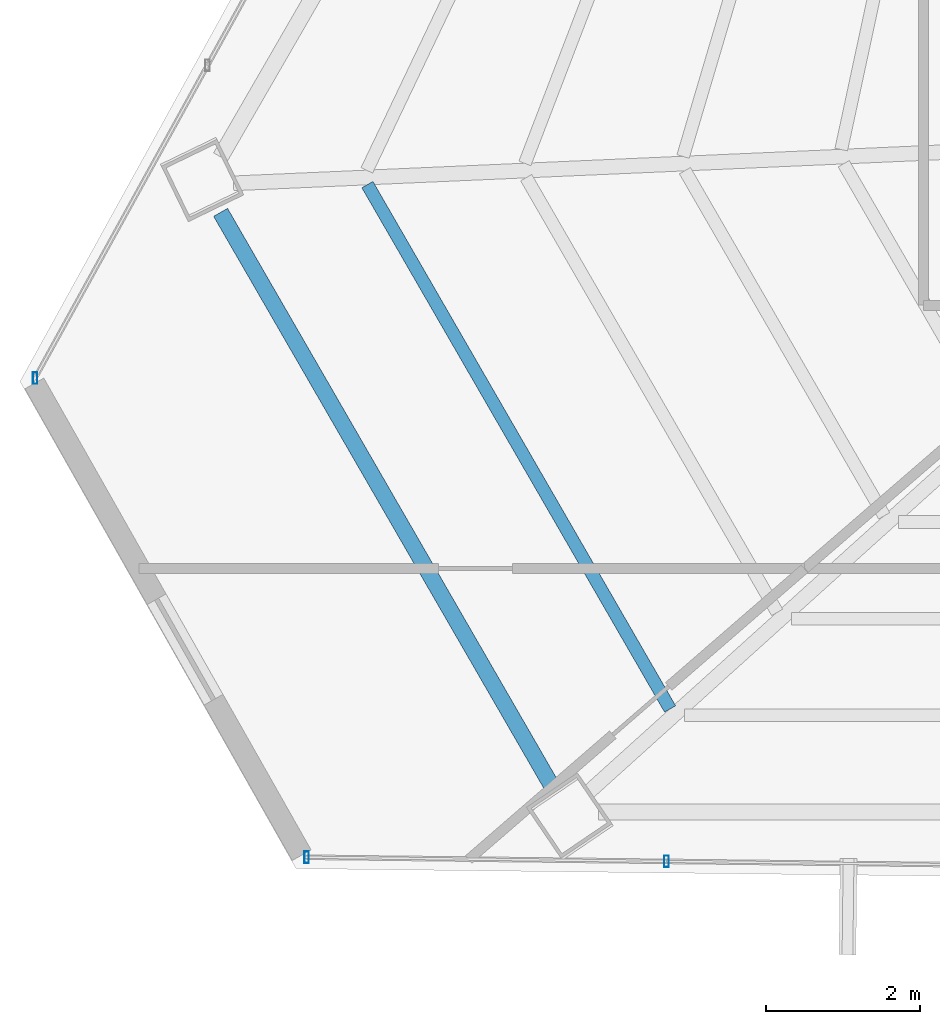
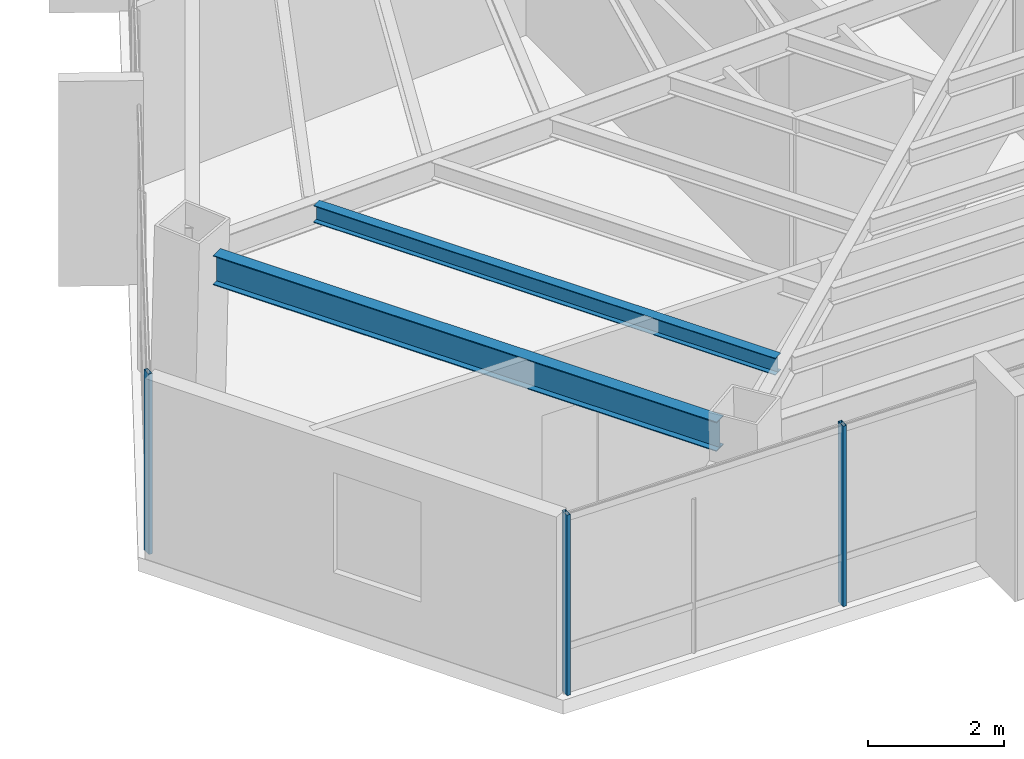
# One storey, part 3 of 40: 3 members, 2 beams, 2 elements without a shape of their own.
"""IFC4 building model written with IfcOpenShell, lengths in metres."""

from ifc_helpers import new_model, si_unit, direction, frame, origin, origin_2d, place, context, subcontext, project, spatial, hollow_rectangle, i_section, extrude, source, transform, mapped, material, material_profile, profile_set, type_object, type_shapes, element, aggregate, save


model = new_model("IFC4")

# Units and contexts
model_context = context("Model", 3, precision=1e-05, world=origin(), true_north=direction((0.0, 1.0)))
body_context = subcontext(model_context, "Body", "Model", "MODEL_VIEW")
ifc_project = project(units=[si_unit("LENGTHUNIT", "METRE"), si_unit("AREAUNIT", "SQUARE_METRE"), si_unit("VOLUMEUNIT", "CUBIC_METRE"), si_unit("PLANEANGLEUNIT", "RADIAN"), si_unit("MASSUNIT", "GRAM", prefix="KILO")], contexts=[model_context])

# Site, building, storey
site_placement = place(None, origin())
site = spatial("IfcSite", under=ifc_project, at=site_placement, CompositionType="ELEMENT")
building_placement = place(site_placement, origin())
building = spatial("IfcBuilding", under=site, at=building_placement, Name="Caelisora Broadcast Tower", CompositionType="ELEMENT")
storey_placement = place(building_placement, frame((0.0, 0.0, 216.89990234375)))
storey = spatial("IfcBuildingStorey", under=building, at=storey_placement, Name="L57", CompositionType="ELEMENT", Elevation=216.89990234375)

# Beams
ifc_material_1 = material(Name="Steel Grade 350 (AS/NZS 3679.1)", Category="steel")
ifc_material_profile_1 = material_profile(ifc_material_1, i_section(OverallWidth=0.208984375, OverallDepth=0.532958984375, WebThickness=0.01025390625, FlangeThickness=0.015625, at=origin_2d()), Name="Steel Grade 350 (AS/NZS 3679.1)")
ifc_profile_set_1 = profile_set([ifc_material_profile_1], Name="Steel Grade 350 (AS/NZS 3679.1)")
beam_type_1 = type_object("IfcBeamType", Name="PG05", PredefinedType="BEAM", material=ifc_profile_set_1)
shared_shape_1 = source(origin(), body_context, "Body", "SweptSolid", [
    extrude(i_section(OverallWidth=0.208984375, OverallDepth=0.532958984375, WebThickness=0.01025390625, FlangeThickness=0.015625, at=origin_2d()), origin(), (0.0, 0.0, 1.0), 8.572509765625),
])
type_shapes(beam_type_1, [shared_shape_1])
beam_1_placement = place(storey_placement, frame((16.274658203125, 16.40625, 2.983642578125), z_axis=(0.500007596729, -0.866021017767, 0.0), x_axis=(0.866021017767, 0.500007596729, 0.0)))
element("IfcBeam", 1, at=beam_1_placement, inside=storey, type_object=beam_type_1, Name="L57 beam PG05", PredefinedType="BEAM", context=body_context, shape_type="MappedRepresentation", body=[
    mapped(shared_shape_1, transform((0.0, 0.0, 0.0), scale=1.0)),
])
ifc_material_profile_2 = material_profile(ifc_material_1, i_section(OverallWidth=0.166015625, OverallDepth=0.30712890625, WebThickness=0.006591796875, FlangeThickness=0.01171875, at=origin_2d()), Name="Steel Grade 350 (AS/NZS 3679.1)")
ifc_profile_set_2 = profile_set([ifc_material_profile_2], Name="Steel Grade 350 (AS/NZS 3679.1)")
beam_type_2 = type_object("IfcBeamType", Name="SB03", PredefinedType="JOIST", material=ifc_profile_set_2)
shared_shape_2 = source(origin(), body_context, "Body", "SweptSolid", [
    extrude(i_section(OverallWidth=0.166015625, OverallDepth=0.30712890625, WebThickness=0.006591796875, FlangeThickness=0.01171875, at=origin_2d()), origin(), (0.0, 0.0, 1.0), 7.86181640625),
])
type_shapes(beam_type_2, [shared_shape_2])
beam_2_placement = place(storey_placement, frame((18.180908203125, 16.766357421875, 3.096435546875), z_axis=(0.499996639036, -0.866027344229, 0.0), x_axis=(0.866027344229, 0.499996639036, 0.0)))
element("IfcBeam", 2, at=beam_2_placement, inside=storey, type_object=beam_type_2, Name="L57 beam SB03", PredefinedType="JOIST", context=body_context, shape_type="MappedRepresentation", body=[
    mapped(shared_shape_2, transform((0.0, 0.0, 0.0), scale=1.0)),
])

# Curtain wall, members
ifc_material_2 = material(Name="Unitised Aluminium and Low-E Glass Curtain Wall", Category="glass")
curtain_wall_type = type_object("IfcCurtainWallType", Name="CW-Z4", PredefinedType="NOTDEFINED", material=ifc_material_2)
curtain_wall_1_placement = place(storey_placement, origin())
curtain_wall_1 = element("IfcCurtainWall", 3, at=curtain_wall_1_placement, inside=storey, type_object=curtain_wall_type, Name="L57 curtain wall CW-Z4", PredefinedType="NOTDEFINED")
ifc_material_3 = material(Name="Aluminium 6063-T6 Anodised Terracotta Bronze", Category="aluminium")
ifc_material_profile_3 = material_profile(ifc_material_3, hollow_rectangle(XDim=0.06005859375, YDim=0.14990234375, WallThickness=0.00341796875, at=origin_2d()), Name="Aluminium 6063-T6 Anodised Terracotta Bronze")
ifc_profile_set_3 = profile_set([ifc_material_profile_3], Name="Aluminium 6063-T6 Anodised Terracotta Bronze")
member_type = type_object("IfcMemberType", Name="CWM-03", PredefinedType="MULLION", material=ifc_profile_set_3)
shared_shape_3 = source(origin(), body_context, "Body", "SweptSolid", [
    extrude(hollow_rectangle(XDim=0.06005859375, YDim=0.14990234375, WallThickness=0.00341796875, at=origin_2d()), origin(), (0.0, 0.0, 1.0), 3.25),
])
type_shapes(member_type, [shared_shape_3])
member_1_placement = place(storey_placement, frame((22.064697265625, 7.978515625, 0.0), z_axis=(0.0, 0.0, 1.0), x_axis=(1.0, 0.0, 0.0)))
member_1 = element("IfcMember", 4, at=member_1_placement, type_object=member_type, Name="L57-CW-B07 mullion #2", PredefinedType="MULLION", context=body_context, shape_type="MappedRepresentation", body=[
    mapped(shared_shape_3, transform((0.0, 0.0, 0.0), scale=1.0)),
])
member_2_placement = place(storey_placement, frame((17.39208984375, 8.032470703125, 0.0), z_axis=(0.0, 0.0, 1.0), x_axis=(1.0, 0.0, 0.0)))
member_2 = element("IfcMember", 5, at=member_2_placement, type_object=member_type, Name="L57-CW-B07 mullion #3", PredefinedType="MULLION", context=body_context, shape_type="MappedRepresentation", body=[
    mapped(shared_shape_3, transform((0.0, 0.0, 0.0), scale=1.0)),
])
aggregate(curtain_wall_1, [member_1, member_2])

# Curtain wall, member
curtain_wall_2_placement = place(storey_placement, origin())
curtain_wall_2 = element("IfcCurtainWall", 6, at=curtain_wall_2_placement, inside=storey, type_object=curtain_wall_type, Name="L57 curtain wall CW-Z4", PredefinedType="NOTDEFINED")
member_3_placement = place(storey_placement, frame((13.8662109375, 14.2548828125, 0.0), z_axis=(0.0, 0.0, 1.0), x_axis=(1.0, 0.0, 0.0)))
member_3 = element("IfcMember", 7, at=member_3_placement, type_object=member_type, Name="L57-CW-B09 mullion #0", PredefinedType="MULLION", context=body_context, shape_type="MappedRepresentation", body=[
    mapped(shared_shape_3, transform((0.0, 0.0, 0.0), scale=1.0)),
])
aggregate(curtain_wall_2, [member_3])

save(model, "model.ifc")
